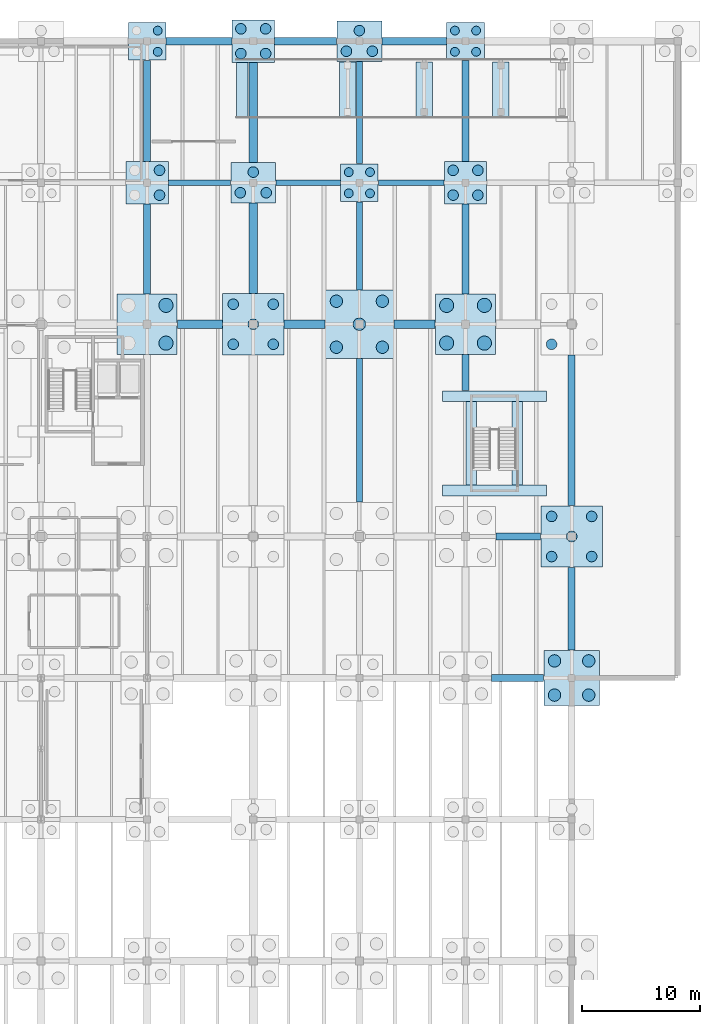
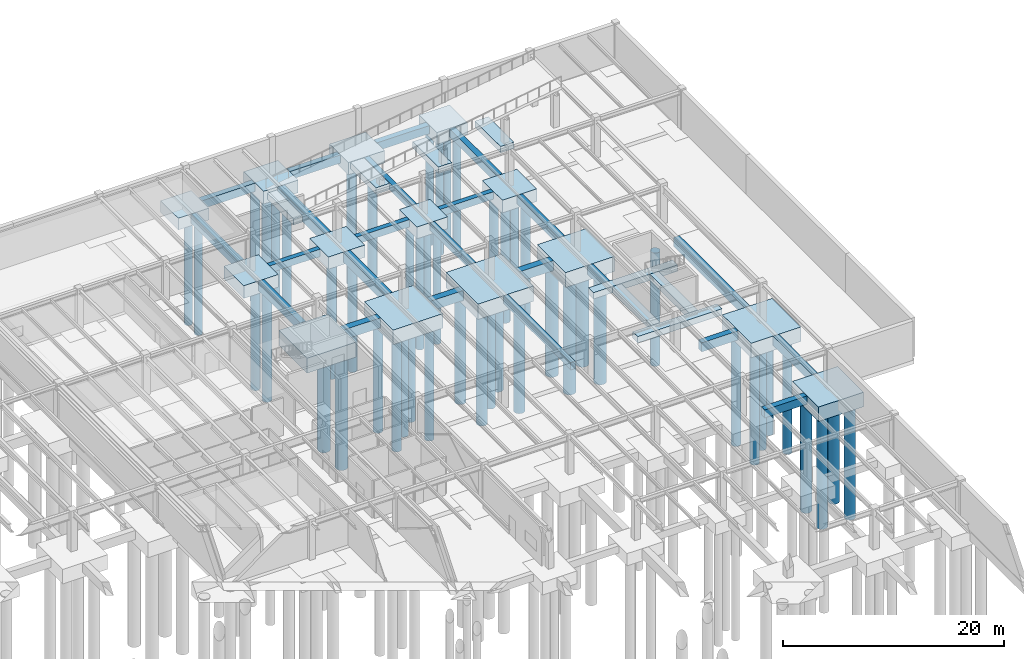
# One storey, part 12 of 40: 52 piles, 45 footings.
"""IFC4 building model written with IfcOpenShell, lengths in metres."""

from ifc_helpers import new_model, si_unit, direction, frame, origin, origin_2d, place, context, subcontext, project, spatial, polyline, rectangle, circle, outline, extrude, material, material_profile, profile_set, type_object, element, save


model = new_model("IFC4")

# Units and contexts
model_context = context("Model", 3, precision=1e-05, world=origin(), true_north=direction((0.0, 1.0)))
body_context = subcontext(model_context, "Body", "Model", "MODEL_VIEW")
ifc_project = project(units=[si_unit("LENGTHUNIT", "METRE"), si_unit("AREAUNIT", "SQUARE_METRE"), si_unit("VOLUMEUNIT", "CUBIC_METRE"), si_unit("PLANEANGLEUNIT", "RADIAN"), si_unit("MASSUNIT", "GRAM", prefix="KILO")], contexts=[model_context])

# Site, building, storey
site_placement = place(None, origin())
site = spatial("IfcSite", under=ifc_project, at=site_placement, CompositionType="ELEMENT")
building_placement = place(site_placement, origin())
building = spatial("IfcBuilding", under=site, at=building_placement, Name="Montelvaro Courts of Justice", CompositionType="ELEMENT")
storey_placement = place(building_placement, frame((0.0, 0.0, -4.5)))
storey = spatial("IfcBuildingStorey", under=building, at=storey_placement, Name="B01", CompositionType="ELEMENT", Elevation=-4.5)

# Piles
ifc_material = material(Name="Concrete C35/45", Category="concrete")
ifc_material_profile_1 = material_profile(ifc_material, circle(Radius=0.52490234375, at=origin_2d()), Name="BORED PILE D1050")
ifc_profile_set_1 = profile_set([ifc_material_profile_1], Name="Concrete C35/45")
pile_type_1 = type_object("IfcPileType", Name="BoredPile_1050", PredefinedType="BORED", material=ifc_profile_set_1)
for number, where, z_axis, x_axis, name in (
    (1, (142.050048828125, 94.050048828125, -1.60009765625), (0.0, 0.0, -1.0), (1.0, 0.0, 0.0), "Bored Pile BP-03 17/H-1"),
    (2, (145.949951171875, 94.050048828125, -1.60009765625), (0.0, 0.0, -1.0), (1.0, 0.0, 0.0), "Bored Pile BP-03 17/H-2"),
    (3, (144.0, 96.0, -1.60009765625), (0.0, 0.0, -1.0), (1.0, 0.0, 0.0), "Bored Pile BP-03 17/H-3"),
    (4, (142.050048828125, 97.949951171875, -1.60009765625), (0.0, 0.0, -1.0), (1.0, 0.0, 0.0), "Bored Pile BP-03 17/H-4"),
    (5, (145.949951171875, 97.949951171875, -1.60009765625), (0.0, 0.0, -1.0), (1.0, 0.0, 0.0), "Bored Pile BP-03 17/H-5"),
):
    element("IfcPile", number, at=place(storey_placement, frame(where, z_axis=z_axis, x_axis=x_axis)), inside=storey, type_object=pile_type_1, Name=name, PredefinedType="BORED", context=body_context, shape_type="SweptSolid", body=[
        extrude(circle(Radius=0.52490234375, at=origin_2d()), origin(), (0.0, 0.0, 1.0), 12.39990234375),
    ])
for number, where, z_axis, x_axis, name in (
    (6, (160.550048828125, 64.550048828125, -1.5), (0.0, 0.0, -1.0), (1.0, 0.0, 0.0), "Bored Pile BP-03 19/F-1"),
    (7, (163.449951171875, 64.550048828125, -1.5), (0.0, 0.0, -1.0), (1.0, 0.0, 0.0), "Bored Pile BP-03 19/F-2"),
    (8, (160.550048828125, 67.449951171875, -1.5), (0.0, 0.0, -1.0), (1.0, 0.0, 0.0), "Bored Pile BP-03 19/F-3"),
    (9, (163.449951171875, 67.449951171875, -1.5), (0.0, 0.0, -1.0), (1.0, 0.0, 0.0), "Bored Pile BP-03 19/F-4"),
):
    element("IfcPile", number, at=place(storey_placement, frame(where, z_axis=z_axis, x_axis=x_axis)), inside=storey, type_object=pile_type_1, Name=name, PredefinedType="BORED", context=body_context, shape_type="SweptSolid", body=[
        extrude(circle(Radius=0.52490234375, at=origin_2d()), origin(), (0.0, 0.0, 1.0), 12.5),
    ])
ifc_material_profile_2 = material_profile(ifc_material, circle(Radius=0.60009765625, at=origin_2d()), Name="BORED PILE D1200")
ifc_profile_set_2 = profile_set([ifc_material_profile_2], Name="Concrete C35/45")
pile_type_2 = type_object("IfcPileType", Name="BoredPile_1200", PredefinedType="BORED", material=ifc_profile_set_2)
for number, where, z_axis, x_axis, name in (
    (10, (127.60009765625, 94.39990234375, -1.550048828125), (0.0, 0.0, -1.0), (1.0, 0.0, 0.0), "Bored Pile BP-04 15/H-2"),
    (11, (127.60009765625, 97.60009765625, -1.550048828125), (0.0, 0.0, -1.0), (1.0, 0.0, 0.0), "Bored Pile BP-04 15/H-4"),
    (12, (151.39990234375, 94.39990234375, -1.550048828125), (0.0, 0.0, -1.0), (1.0, 0.0, 0.0), "Bored Pile BP-04 18/H-1"),
    (13, (154.60009765625, 94.39990234375, -1.550048828125), (0.0, 0.0, -1.0), (1.0, 0.0, 0.0), "Bored Pile BP-04 18/H-2"),
    (14, (151.39990234375, 97.60009765625, -1.550048828125), (0.0, 0.0, -1.0), (1.0, 0.0, 0.0), "Bored Pile BP-04 18/H-3"),
    (15, (154.60009765625, 97.60009765625, -1.550048828125), (0.0, 0.0, -1.0), (1.0, 0.0, 0.0), "Bored Pile BP-04 18/H-4"),
):
    element("IfcPile", number, at=place(storey_placement, frame(where, z_axis=z_axis, x_axis=x_axis)), inside=storey, type_object=pile_type_2, Name=name, PredefinedType="BORED", context=body_context, shape_type="SweptSolid", body=[
        extrude(circle(Radius=0.60009765625, at=origin_2d()), origin(), (0.0, 0.0, 1.0), 12.449951171875),
    ])
ifc_material_profile_3 = material_profile(ifc_material, circle(Radius=0.375, at=origin_2d()), Name="BORED PILE D750")
ifc_profile_set_3 = profile_set([ifc_material_profile_3], Name="Concrete C35/45")
pile_type_3 = type_object("IfcPileType", Name="BoredPile_750", PredefinedType="BORED", material=ifc_profile_set_3)
for number, where, z_axis, x_axis, name in (
    (16, (126.89990234375, 119.10009765625, -1.199951171875), (0.0, 0.0, -1.0), (1.0, 0.0, 0.0), "Bored Pile BP-01 15/J-2"),
    (17, (126.89990234375, 120.89990234375, -1.199951171875), (0.0, 0.0, -1.0), (1.0, 0.0, 0.0), "Bored Pile BP-01 15/J-4"),
    (18, (143.10009765625, 107.10009765625, -1.199951171875), (0.0, 0.0, -1.0), (1.0, 0.0, 0.0), "Bored Pile BP-01 17/I-1"),
    (19, (144.89990234375, 107.10009765625, -1.199951171875), (0.0, 0.0, -1.0), (1.0, 0.0, 0.0), "Bored Pile BP-01 17/I-2"),
    (20, (143.10009765625, 108.89990234375, -1.199951171875), (0.0, 0.0, -1.0), (1.0, 0.0, 0.0), "Bored Pile BP-01 17/I-3"),
    (21, (144.89990234375, 108.89990234375, -1.199951171875), (0.0, 0.0, -1.0), (1.0, 0.0, 0.0), "Bored Pile BP-01 17/I-4"),
    (22, (152.10009765625, 119.10009765625, -1.199951171875), (0.0, 0.0, -1.0), (1.0, 0.0, 0.0), "Bored Pile BP-01 18/J-1"),
    (23, (153.89990234375, 119.10009765625, -1.199951171875), (0.0, 0.0, -1.0), (1.0, 0.0, 0.0), "Bored Pile BP-01 18/J-2"),
    (24, (152.10009765625, 120.89990234375, -1.199951171875), (0.0, 0.0, -1.0), (1.0, 0.0, 0.0), "Bored Pile BP-01 18/J-3"),
    (25, (153.89990234375, 120.89990234375, -1.199951171875), (0.0, 0.0, -1.0), (1.0, 0.0, 0.0), "Bored Pile BP-01 18/J-4"),
):
    element("IfcPile", number, at=place(storey_placement, frame(where, z_axis=z_axis, x_axis=x_axis)), inside=storey, type_object=pile_type_3, Name=name, PredefinedType="BORED", context=body_context, shape_type="SweptSolid", body=[
        extrude(circle(Radius=0.375, at=origin_2d()), origin(), (0.0, 0.0, 1.0), 12.800048828125),
    ])
ifc_material_profile_4 = material_profile(ifc_material, circle(Radius=0.449951171875, at=origin_2d()), Name="BORED PILE D900")
ifc_profile_set_4 = profile_set([ifc_material_profile_4], Name="Concrete C35/45")
pile_type_4 = type_object("IfcPileType", Name="BoredPile_900", PredefinedType="BORED", material=ifc_profile_set_4)
for number, where, z_axis, x_axis, name in (
    (26, (127.050048828125, 106.949951171875, -1.300048828125), (0.0, 0.0, -1.0), (1.0, 0.0, 0.0), "Bored Pile BP-02 15/I-2"),
    (27, (127.050048828125, 109.050048828125, -1.300048828125), (0.0, 0.0, -1.0), (1.0, 0.0, 0.0), "Bored Pile BP-02 15/I-4"),
):
    element("IfcPile", number, at=place(storey_placement, frame(where, z_axis=z_axis, x_axis=x_axis)), inside=storey, type_object=pile_type_4, Name=name, PredefinedType="BORED", context=body_context, shape_type="SweptSolid", body=[
        extrude(circle(Radius=0.449951171875, at=origin_2d()), origin(), (0.0, 0.0, 1.0), 12.699951171875),
    ])
for number, where, z_axis, x_axis, name in (
    (28, (133.300048828125, 94.300048828125, -1.5), (0.0, 0.0, -1.0), (1.0, 0.0, 0.0), "Bored Pile BP-02 16/H-1"),
    (29, (136.699951171875, 94.300048828125, -1.5), (0.0, 0.0, -1.0), (1.0, 0.0, 0.0), "Bored Pile BP-02 16/H-2"),
    (30, (135.0, 96.0, -1.5), (0.0, 0.0, -1.0), (1.0, 0.0, 0.0), "Bored Pile BP-02 16/H-3"),
    (31, (133.300048828125, 97.699951171875, -1.5), (0.0, 0.0, -1.0), (1.0, 0.0, 0.0), "Bored Pile BP-02 16/H-4"),
    (32, (136.699951171875, 97.699951171875, -1.5), (0.0, 0.0, -1.0), (1.0, 0.0, 0.0), "Bored Pile BP-02 16/H-5"),
):
    element("IfcPile", number, at=place(storey_placement, frame(where, z_axis=z_axis, x_axis=x_axis)), inside=storey, type_object=pile_type_4, Name=name, PredefinedType="BORED", context=body_context, shape_type="SweptSolid", body=[
        extrude(circle(Radius=0.449951171875, at=origin_2d()), origin(), (0.0, 0.0, 1.0), 12.5),
    ])
for number, where, z_axis, x_axis, name in (
    (33, (133.89990234375, 107.14990234375, -1.25), (0.0, 0.0, -1.0), (1.0, 0.0, 0.0), "Bored Pile BP-02 16/I-1"),
    (34, (136.10009765625, 107.14990234375, -1.25), (0.0, 0.0, -1.0), (1.0, 0.0, 0.0), "Bored Pile BP-02 16/I-2"),
    (35, (135.0, 108.89990234375, -1.25), (0.0, 0.0, -1.0), (1.0, 0.0, 0.0), "Bored Pile BP-02 16/I-3"),
):
    element("IfcPile", number, at=place(storey_placement, frame(where, z_axis=z_axis, x_axis=x_axis)), inside=storey, type_object=pile_type_4, Name=name, PredefinedType="BORED", context=body_context, shape_type="SweptSolid", body=[
        extrude(circle(Radius=0.449951171875, at=origin_2d()), origin(), (0.0, 0.0, 1.0), 12.75),
    ])
for number, where, z_axis, x_axis, name in (
    (36, (133.949951171875, 118.949951171875, -1.300048828125), (0.0, 0.0, -1.0), (1.0, 0.0, 0.0), "Bored Pile BP-02 16/J-1"),
    (37, (136.050048828125, 118.949951171875, -1.300048828125), (0.0, 0.0, -1.0), (1.0, 0.0, 0.0), "Bored Pile BP-02 16/J-2"),
    (38, (133.949951171875, 121.050048828125, -1.300048828125), (0.0, 0.0, -1.0), (1.0, 0.0, 0.0), "Bored Pile BP-02 16/J-3"),
    (39, (136.050048828125, 121.050048828125, -1.300048828125), (0.0, 0.0, -1.0), (1.0, 0.0, 0.0), "Bored Pile BP-02 16/J-4"),
):
    element("IfcPile", number, at=place(storey_placement, frame(where, z_axis=z_axis, x_axis=x_axis)), inside=storey, type_object=pile_type_4, Name=name, PredefinedType="BORED", context=body_context, shape_type="SweptSolid", body=[
        extrude(circle(Radius=0.449951171875, at=origin_2d()), origin(), (0.0, 0.0, 1.0), 12.699951171875),
    ])
for number, where, z_axis, x_axis, name in (
    (40, (142.89990234375, 119.14990234375, -1.25), (0.0, 0.0, -1.0), (1.0, 0.0, 0.0), "Bored Pile BP-02 17/J-1"),
    (41, (145.10009765625, 119.14990234375, -1.25), (0.0, 0.0, -1.0), (1.0, 0.0, 0.0), "Bored Pile BP-02 17/J-2"),
    (42, (144.0, 120.89990234375, -1.25), (0.0, 0.0, -1.0), (1.0, 0.0, 0.0), "Bored Pile BP-02 17/J-3"),
):
    element("IfcPile", number, at=place(storey_placement, frame(where, z_axis=z_axis, x_axis=x_axis)), inside=storey, type_object=pile_type_4, Name=name, PredefinedType="BORED", context=body_context, shape_type="SweptSolid", body=[
        extrude(circle(Radius=0.449951171875, at=origin_2d()), origin(), (0.0, 0.0, 1.0), 12.75),
    ])
for number, where, z_axis, x_axis, name in (
    (43, (151.949951171875, 106.949951171875, -1.300048828125), (0.0, 0.0, -1.0), (1.0, 0.0, 0.0), "Bored Pile BP-02 18/I-1"),
    (44, (154.050048828125, 106.949951171875, -1.300048828125), (0.0, 0.0, -1.0), (1.0, 0.0, 0.0), "Bored Pile BP-02 18/I-2"),
    (45, (151.949951171875, 109.050048828125, -1.300048828125), (0.0, 0.0, -1.0), (1.0, 0.0, 0.0), "Bored Pile BP-02 18/I-3"),
    (46, (154.050048828125, 109.050048828125, -1.300048828125), (0.0, 0.0, -1.0), (1.0, 0.0, 0.0), "Bored Pile BP-02 18/I-4"),
):
    element("IfcPile", number, at=place(storey_placement, frame(where, z_axis=z_axis, x_axis=x_axis)), inside=storey, type_object=pile_type_4, Name=name, PredefinedType="BORED", context=body_context, shape_type="SweptSolid", body=[
        extrude(circle(Radius=0.449951171875, at=origin_2d()), origin(), (0.0, 0.0, 1.0), 12.699951171875),
    ])
for number, where, z_axis, x_axis, name in (
    (47, (160.300048828125, 76.300048828125, -1.5), (0.0, 0.0, -1.0), (1.0, 0.0, 0.0), "Bored Pile BP-02 19/G-1"),
    (48, (163.699951171875, 76.300048828125, -1.5), (0.0, 0.0, -1.0), (1.0, 0.0, 0.0), "Bored Pile BP-02 19/G-2"),
    (49, (162.0, 78.0, -1.5), (0.0, 0.0, -1.0), (1.0, 0.0, 0.0), "Bored Pile BP-02 19/G-3"),
    (50, (160.300048828125, 79.699951171875, -1.5), (0.0, 0.0, -1.0), (1.0, 0.0, 0.0), "Bored Pile BP-02 19/G-4"),
    (51, (163.699951171875, 79.699951171875, -1.5), (0.0, 0.0, -1.0), (1.0, 0.0, 0.0), "Bored Pile BP-02 19/G-5"),
    (52, (160.300048828125, 94.300048828125, -1.5), (0.0, 0.0, -1.0), (1.0, 0.0, 0.0), "Bored Pile BP-02 19/H-1"),
):
    element("IfcPile", number, at=place(storey_placement, frame(where, z_axis=z_axis, x_axis=x_axis)), inside=storey, type_object=pile_type_4, Name=name, PredefinedType="BORED", context=body_context, shape_type="SweptSolid", body=[
        extrude(circle(Radius=0.449951171875, at=origin_2d()), origin(), (0.0, 0.0, 1.0), 12.5),
    ])

# Footings
footing_type_1 = type_object("IfcFootingType", Name="GroundBeam_500x800", PredefinedType="FOOTING_BEAM", material=ifc_material)
footing_1_placement = place(storey_placement, frame((0.0, 0.0, -0.800048828125)))
element("IfcFooting", 53, at=footing_1_placement, inside=storey, type_object=footing_type_1, Name="Foundation Ground Beam GB-01", PredefinedType="FOOTING_BEAM", context=body_context, shape_type="SweptSolid", body=[
    extrude(outline(polyline([(127.820068359375, 107.75), (133.080078125, 107.75), (133.080078125, 108.25), (127.820068359375, 108.25), (127.820068359375, 107.75)])), origin(), (0.0, 0.0, 1.0), 0.800048828125),
])
footing_2_placement = place(storey_placement, frame((0.0, 0.0, -0.800048828125)))
element("IfcFooting", 54, at=footing_2_placement, inside=storey, type_object=footing_type_1, Name="Foundation Ground Beam GB-01", PredefinedType="FOOTING_BEAM", context=body_context, shape_type="SweptSolid", body=[
    extrude(outline(polyline([(136.919921875, 107.75), (142.3798828125, 107.75), (142.3798828125, 108.25), (136.919921875, 108.25), (136.919921875, 107.75)])), origin(), (0.0, 0.0, 1.0), 0.800048828125),
])
footing_3_placement = place(storey_placement, frame((0.0, 0.0, -0.800048828125)))
element("IfcFooting", 55, at=footing_3_placement, inside=storey, type_object=footing_type_1, Name="Foundation Ground Beam GB-01", PredefinedType="FOOTING_BEAM", context=body_context, shape_type="SweptSolid", body=[
    extrude(outline(polyline([(145.6201171875, 107.75), (151.179931640625, 107.75), (151.179931640625, 108.25), (145.6201171875, 108.25), (145.6201171875, 107.75)])), origin(), (0.0, 0.0, 1.0), 0.800048828125),
])
footing_4_placement = place(storey_placement, frame((0.0, 0.0, -0.800048828125)))
element("IfcFooting", 56, at=footing_4_placement, inside=storey, type_object=footing_type_1, Name="Foundation Ground Beam GB-01", PredefinedType="FOOTING_BEAM", context=body_context, shape_type="SweptSolid", body=[
    extrude(outline(polyline([(143.75, 80.919921875), (144.25, 80.919921875), (144.25, 93.080078125), (143.75, 93.080078125), (143.75, 80.919921875)])), origin(), (0.0, 0.0, 1.0), 0.800048828125),
])
footing_5_placement = place(storey_placement, frame((0.0, 0.0, -0.800048828125)))
element("IfcFooting", 57, at=footing_5_placement, inside=storey, type_object=footing_type_1, Name="Foundation Ground Beam GB-01", PredefinedType="FOOTING_BEAM", context=body_context, shape_type="SweptSolid", body=[
    extrude(outline(polyline([(143.75, 98.919921875), (144.25, 98.919921875), (144.25, 106.3798828125), (143.75, 106.3798828125), (143.75, 98.919921875)])), origin(), (0.0, 0.0, 1.0), 0.800048828125),
])
footing_6_placement = place(storey_placement, frame((0.0, 0.0, -0.800048828125)))
element("IfcFooting", 58, at=footing_6_placement, inside=storey, type_object=footing_type_1, Name="Foundation Ground Beam GB-01", PredefinedType="FOOTING_BEAM", context=body_context, shape_type="SweptSolid", body=[
    extrude(outline(polyline([(143.75, 109.6201171875), (144.25, 109.6201171875), (144.25, 118.280029296875), (143.75, 118.280029296875), (143.75, 109.6201171875)])), origin(), (0.0, 0.0, 1.0), 0.800048828125),
])
footing_type_2 = type_object("IfcFootingType", Name="GroundBeam_600x1000", PredefinedType="FOOTING_BEAM", material=ifc_material)
footing_7_placement = place(storey_placement, frame((0.0, 0.0, -1.0)))
element("IfcFooting", 59, at=footing_7_placement, inside=storey, type_object=footing_type_2, Name="Foundation Ground Beam GB-03", PredefinedType="FOOTING_BEAM", context=body_context, shape_type="SweptSolid", body=[
    extrude(outline(polyline([(155.570068359375, 77.699951171875), (159.3798828125, 77.699951171875), (159.3798828125, 78.300048828125), (155.570068359375, 78.300048828125), (155.570068359375, 77.699951171875)])), origin(), (0.0, 0.0, 1.0), 1.0),
])
footing_8_placement = place(storey_placement, frame((0.0, 0.0, -1.0)))
element("IfcFooting", 60, at=footing_8_placement, inside=storey, type_object=footing_type_2, Name="Foundation Ground Beam GB-03", PredefinedType="FOOTING_BEAM", context=body_context, shape_type="SweptSolid", body=[
    extrude(outline(polyline([(125.699951171875, 98.570068359375), (126.300048828125, 98.570068359375), (126.300048828125, 106.179931640625), (125.699951171875, 106.179931640625), (125.699951171875, 98.570068359375)])), origin(), (0.0, 0.0, 1.0), 1.0),
])
footing_9_placement = place(storey_placement, frame((0.0, 0.0, -1.0)))
element("IfcFooting", 61, at=footing_9_placement, inside=storey, type_object=footing_type_2, Name="Foundation Ground Beam GB-03", PredefinedType="FOOTING_BEAM", context=body_context, shape_type="SweptSolid", body=[
    extrude(outline(polyline([(125.699951171875, 109.820068359375), (126.300048828125, 109.820068359375), (126.300048828125, 118.3798828125), (125.699951171875, 118.3798828125), (125.699951171875, 109.820068359375)])), origin(), (0.0, 0.0, 1.0), 1.0),
])
footing_10_placement = place(storey_placement, frame((0.0, 0.0, -1.0)))
element("IfcFooting", 62, at=footing_10_placement, inside=storey, type_object=footing_type_2, Name="Foundation Ground Beam GB-03", PredefinedType="FOOTING_BEAM", context=body_context, shape_type="SweptSolid", body=[
    extrude(outline(polyline([(161.699951171875, 68.3701171875), (162.300048828125, 68.3701171875), (162.300048828125, 75.3798828125), (161.699951171875, 75.3798828125), (161.699951171875, 68.3701171875)])), origin(), (0.0, 0.0, 1.0), 1.0),
])
footing_11_placement = place(storey_placement, frame((0.0, 0.0, -1.0)))
element("IfcFooting", 63, at=footing_11_placement, inside=storey, type_object=footing_type_2, Name="Foundation Ground Beam GB-03", PredefinedType="FOOTING_BEAM", context=body_context, shape_type="SweptSolid", body=[
    extrude(outline(polyline([(161.699951171875, 80.6201171875), (162.300048828125, 80.6201171875), (162.300048828125, 93.3798828125), (161.699951171875, 93.3798828125), (161.699951171875, 80.6201171875)])), origin(), (0.0, 0.0, 1.0), 1.0),
])
footing_type_3 = type_object("IfcFootingType", Name="GroundBeam_600x900", PredefinedType="FOOTING_BEAM", material=ifc_material)
footing_12_placement = place(storey_placement, frame((0.0, 0.0, -0.89990234375)))
element("IfcFooting", 64, at=footing_12_placement, inside=storey, type_object=footing_type_3, Name="Foundation Ground Beam GB-02", PredefinedType="FOOTING_BEAM", context=body_context, shape_type="SweptSolid", body=[
    extrude(outline(polyline([(155.219970703125, 65.699951171875), (159.6298828125, 65.699951171875), (159.6298828125, 66.300048828125), (155.219970703125, 66.300048828125), (155.219970703125, 65.699951171875)])), origin(), (0.0, 0.0, 1.0), 0.89990234375),
])
footing_13_placement = place(storey_placement, frame((0.0, 0.0, -0.89990234375)))
element("IfcFooting", 65, at=footing_13_placement, inside=storey, type_object=footing_type_3, Name="Foundation Ground Beam GB-02", PredefinedType="FOOTING_BEAM", context=body_context, shape_type="SweptSolid", body=[
    extrude(outline(polyline([(127.6201171875, 119.699951171875), (133.179931640625, 119.699951171875), (133.179931640625, 120.300048828125), (127.6201171875, 120.300048828125), (127.6201171875, 119.699951171875)])), origin(), (0.0, 0.0, 1.0), 0.89990234375),
])
footing_14_placement = place(storey_placement, frame((0.0, 0.0, -0.89990234375)))
element("IfcFooting", 66, at=footing_14_placement, inside=storey, type_object=footing_type_3, Name="Foundation Ground Beam GB-02", PredefinedType="FOOTING_BEAM", context=body_context, shape_type="SweptSolid", body=[
    extrude(outline(polyline([(136.820068359375, 119.699951171875), (142.080078125, 119.699951171875), (142.080078125, 120.300048828125), (136.820068359375, 120.300048828125), (136.820068359375, 119.699951171875)])), origin(), (0.0, 0.0, 1.0), 0.89990234375),
])
footing_15_placement = place(storey_placement, frame((0.0, 0.0, -0.89990234375)))
element("IfcFooting", 67, at=footing_15_placement, inside=storey, type_object=footing_type_3, Name="Foundation Ground Beam GB-02", PredefinedType="FOOTING_BEAM", context=body_context, shape_type="SweptSolid", body=[
    extrude(outline(polyline([(145.919921875, 119.699951171875), (151.3798828125, 119.699951171875), (151.3798828125, 120.300048828125), (145.919921875, 120.300048828125), (145.919921875, 119.699951171875)])), origin(), (0.0, 0.0, 1.0), 0.89990234375),
])
footing_16_placement = place(storey_placement, frame((0.0, 0.0, -0.89990234375)))
element("IfcFooting", 68, at=footing_16_placement, inside=storey, type_object=footing_type_3, Name="Foundation Ground Beam GB-02", PredefinedType="FOOTING_BEAM", context=body_context, shape_type="SweptSolid", body=[
    extrude(outline(polyline([(152.699951171875, 90.3701171875), (153.300048828125, 90.3701171875), (153.300048828125, 93.429931640625), (152.699951171875, 93.429931640625), (152.699951171875, 90.3701171875)])), origin(), (0.0, 0.0, 1.0), 0.89990234375),
])
footing_17_placement = place(storey_placement, frame((0.0, 0.0, -0.89990234375)))
element("IfcFooting", 69, at=footing_17_placement, inside=storey, type_object=footing_type_3, Name="Foundation Ground Beam GB-02", PredefinedType="FOOTING_BEAM", context=body_context, shape_type="SweptSolid", body=[
    extrude(outline(polyline([(152.699951171875, 98.570068359375), (153.300048828125, 98.570068359375), (153.300048828125, 106.179931640625), (152.699951171875, 106.179931640625), (152.699951171875, 98.570068359375)])), origin(), (0.0, 0.0, 1.0), 0.89990234375),
])
footing_18_placement = place(storey_placement, frame((0.0, 0.0, -0.89990234375)))
element("IfcFooting", 70, at=footing_18_placement, inside=storey, type_object=footing_type_3, Name="Foundation Ground Beam GB-02", PredefinedType="FOOTING_BEAM", context=body_context, shape_type="SweptSolid", body=[
    extrude(outline(polyline([(152.699951171875, 109.820068359375), (153.300048828125, 109.820068359375), (153.300048828125, 118.3798828125), (152.699951171875, 118.3798828125), (152.699951171875, 109.820068359375)])), origin(), (0.0, 0.0, 1.0), 0.89990234375),
])
footing_type_4 = type_object("IfcFootingType", Name="GroundBeam_700x1100", PredefinedType="FOOTING_BEAM", material=ifc_material)
footing_19_placement = place(storey_placement, frame((0.0, 0.0, -1.10009765625)))
element("IfcFooting", 71, at=footing_19_placement, inside=storey, type_object=footing_type_4, Name="Foundation Ground Beam GB-04", PredefinedType="FOOTING_BEAM", context=body_context, shape_type="SweptSolid", body=[
    extrude(outline(polyline([(128.570068359375, 95.64990234375), (132.3798828125, 95.64990234375), (132.3798828125, 96.35009765625), (128.570068359375, 96.35009765625), (128.570068359375, 95.64990234375)])), origin(), (0.0, 0.0, 1.0), 1.10009765625),
])
footing_20_placement = place(storey_placement, frame((0.0, 0.0, -1.10009765625)))
element("IfcFooting", 72, at=footing_20_placement, inside=storey, type_object=footing_type_4, Name="Foundation Ground Beam GB-04", PredefinedType="FOOTING_BEAM", context=body_context, shape_type="SweptSolid", body=[
    extrude(outline(polyline([(137.6201171875, 95.64990234375), (141.080078125, 95.64990234375), (141.080078125, 96.35009765625), (137.6201171875, 96.35009765625), (137.6201171875, 95.64990234375)])), origin(), (0.0, 0.0, 1.0), 1.10009765625),
])
footing_21_placement = place(storey_placement, frame((0.0, 0.0, -1.10009765625)))
element("IfcFooting", 73, at=footing_21_placement, inside=storey, type_object=footing_type_4, Name="Foundation Ground Beam GB-04", PredefinedType="FOOTING_BEAM", context=body_context, shape_type="SweptSolid", body=[
    extrude(outline(polyline([(146.919921875, 95.64990234375), (150.429931640625, 95.64990234375), (150.429931640625, 96.35009765625), (146.919921875, 96.35009765625), (146.919921875, 95.64990234375)])), origin(), (0.0, 0.0, 1.0), 1.10009765625),
])
footing_22_placement = place(storey_placement, frame((0.0, 0.0, -1.10009765625)))
element("IfcFooting", 74, at=footing_22_placement, inside=storey, type_object=footing_type_4, Name="Foundation Ground Beam GB-04", PredefinedType="FOOTING_BEAM", context=body_context, shape_type="SweptSolid", body=[
    extrude(outline(polyline([(134.64990234375, 98.6201171875), (135.35009765625, 98.6201171875), (135.35009765625, 106.280029296875), (134.64990234375, 106.280029296875), (134.64990234375, 98.6201171875)])), origin(), (0.0, 0.0, 1.0), 1.10009765625),
])
footing_23_placement = place(storey_placement, frame((0.0, 0.0, -1.10009765625)))
element("IfcFooting", 75, at=footing_23_placement, inside=storey, type_object=footing_type_4, Name="Foundation Ground Beam GB-04", PredefinedType="FOOTING_BEAM", context=body_context, shape_type="SweptSolid", body=[
    extrude(outline(polyline([(134.64990234375, 109.719970703125), (135.35009765625, 109.719970703125), (135.35009765625, 118.179931640625), (134.64990234375, 118.179931640625), (134.64990234375, 109.719970703125)])), origin(), (0.0, 0.0, 1.0), 1.10009765625),
])
footing_type_5 = type_object("IfcFootingType", Name="PadFooting_140x464x70", PredefinedType="PAD_FOOTING", material=ifc_material)
for number, where, z_axis, x_axis, name in (
    (76, (143.0, 115.929931640625, -0.7001953125), (0.0, 0.0, 1.0), (1.0, 0.0, 0.0), "Ramp VR-01 Pier Footing 1"),
    (77, (149.5, 115.929931640625, -0.7001953125), (0.0, 0.0, 1.0), (1.0, 0.0, 0.0), "Ramp VR-01 Pier Footing 2"),
    (78, (156.0, 115.929931640625, -0.7001953125), (0.0, 0.0, 1.0), (1.0, 0.0, 0.0), "Ramp VR-01 Pier Footing 3"),
):
    element("IfcFooting", number, at=place(storey_placement, frame(where, z_axis=z_axis, x_axis=x_axis)), inside=storey, type_object=footing_type_5, Name=name, PredefinedType="PAD_FOOTING", context=body_context, shape_type="SweptSolid", body=[
        extrude(rectangle(XDim=1.39990234375, YDim=4.639892578125, at=origin_2d()), origin(), (0.0, 0.0, 1.0), 0.699951171875),
    ])
footing_type_6 = type_object("IfcFootingType", Name="PileCap_3P_380x340x135", PredefinedType="PILE_CAP", material=ifc_material)
for number, where, z_axis, x_axis, name in (
    (79, (135.0, 108.0, -1.35009765625), (0.0, 0.0, 1.0), (1.0, 0.0, 0.0), "Pile Cap PC-07 at 16/I"),
    (80, (144.0, 120.0, -1.35009765625), (0.0, 0.0, 1.0), (1.0, 0.0, 0.0), "Pile Cap PC-07 at 17/J"),
):
    element("IfcFooting", number, at=place(storey_placement, frame(where, z_axis=z_axis, x_axis=x_axis)), inside=storey, type_object=footing_type_6, Name=name, PredefinedType="PILE_CAP", context=body_context, shape_type="SweptSolid", body=[
        extrude(rectangle(XDim=3.800048828125, YDim=3.39990234375, at=origin_2d()), origin(), (0.0, 0.0, 1.0), 1.35009765625),
    ])
footing_type_7 = type_object("IfcFootingType", Name="PileCap_4P_320x320x130", PredefinedType="PILE_CAP", material=ifc_material)
for number, where, z_axis, x_axis, name in (
    (81, (126.0, 120.0, -1.2998046875), (0.0, 0.0, 1.0), (1.0, 0.0, 0.0), "Pile Cap PC-08 at 15/J"),
    (82, (144.0, 108.0, -1.2998046875), (0.0, 0.0, 1.0), (1.0, 0.0, 0.0), "Pile Cap PC-08 at 17/I"),
    (83, (153.0, 120.0, -1.2998046875), (0.0, 0.0, 1.0), (1.0, 0.0, 0.0), "Pile Cap PC-08 at 18/J"),
):
    element("IfcFooting", number, at=place(storey_placement, frame(where, z_axis=z_axis, x_axis=x_axis)), inside=storey, type_object=footing_type_7, Name=name, PredefinedType="PILE_CAP", context=body_context, shape_type="SweptSolid", body=[
        extrude(rectangle(XDim=3.199951171875, YDim=3.199951171875, at=origin_2d()), origin(), (0.0, 0.0, 1.0), 1.300048828125),
    ])
footing_type_8 = type_object("IfcFootingType", Name="PileCap_4P_360x360x140", PredefinedType="PILE_CAP", material=ifc_material)
for number, where, z_axis, x_axis, name in (
    (84, (126.0, 108.0, -1.39990234375), (0.0, 0.0, 1.0), (1.0, 0.0, 0.0), "Pile Cap PC-09 at 15/I"),
    (85, (135.0, 120.0, -1.39990234375), (0.0, 0.0, 1.0), (1.0, 0.0, 0.0), "Pile Cap PC-09 at 16/J"),
    (86, (153.0, 108.0, -1.39990234375), (0.0, 0.0, 1.0), (1.0, 0.0, 0.0), "Pile Cap PC-09 at 18/I"),
):
    element("IfcFooting", number, at=place(storey_placement, frame(where, z_axis=z_axis, x_axis=x_axis)), inside=storey, type_object=footing_type_8, Name=name, PredefinedType="PILE_CAP", context=body_context, shape_type="SweptSolid", body=[
        extrude(rectangle(XDim=3.60009765625, YDim=3.60009765625, at=origin_2d()), origin(), (0.0, 0.0, 1.0), 1.39990234375),
    ])
footing_type_9 = type_object("IfcFootingType", Name="PileCap_4P_470x470x160", PredefinedType="PILE_CAP", material=ifc_material)
footing_24_placement = place(storey_placement, frame((162.0, 66.0, -1.60009765625), z_axis=(0.0, 0.0, 1.0), x_axis=(1.0, 0.0, 0.0)))
element("IfcFooting", 87, at=footing_24_placement, inside=storey, type_object=footing_type_9, Name="Pile Cap PC-12 at 19/F", PredefinedType="PILE_CAP", context=body_context, shape_type="SweptSolid", body=[
    extrude(rectangle(XDim=4.699951171875, YDim=4.699951171875, at=origin_2d()), origin(), (0.0, 0.0, 1.0), 1.60009765625),
])
footing_type_10 = type_object("IfcFootingType", Name="PileCap_4P_510x510x165", PredefinedType="PILE_CAP", material=ifc_material)
for number, where, z_axis, x_axis, name in (
    (88, (126.0, 96.0, -1.64990234375), (0.0, 0.0, 1.0), (1.0, 0.0, 0.0), "Pile Cap PC-13 at 15/H"),
    (89, (153.0, 96.0, -1.64990234375), (0.0, 0.0, 1.0), (1.0, 0.0, 0.0), "Pile Cap PC-13 at 18/H"),
):
    element("IfcFooting", number, at=place(storey_placement, frame(where, z_axis=z_axis, x_axis=x_axis)), inside=storey, type_object=footing_type_10, Name=name, PredefinedType="PILE_CAP", context=body_context, shape_type="SweptSolid", body=[
        extrude(rectangle(XDim=5.10009765625, YDim=5.10009765625, at=origin_2d()), origin(), (0.0, 0.0, 1.0), 1.64990234375),
    ])
footing_type_11 = type_object("IfcFootingType", Name="PileCap_5P_520x520x160", PredefinedType="PILE_CAP", material=ifc_material)
for number, where, z_axis, x_axis, name in (
    (90, (135.0, 96.0, -1.60009765625), (0.0, 0.0, 1.0), (1.0, 0.0, 0.0), "Pile Cap PC-14 at 16/H"),
    (91, (162.0, 78.0, -1.60009765625), (0.0, 0.0, 1.0), (1.0, 0.0, 0.0), "Pile Cap PC-14 at 19/G"),
):
    element("IfcFooting", number, at=place(storey_placement, frame(where, z_axis=z_axis, x_axis=x_axis)), inside=storey, type_object=footing_type_11, Name=name, PredefinedType="PILE_CAP", context=body_context, shape_type="SweptSolid", body=[
        extrude(rectangle(XDim=5.199951171875, YDim=5.199951171875, at=origin_2d()), origin(), (0.0, 0.0, 1.0), 1.60009765625),
    ])
footing_type_12 = type_object("IfcFootingType", Name="PileCap_5P_580x580x170", PredefinedType="PILE_CAP", material=ifc_material)
footing_25_placement = place(storey_placement, frame((144.0, 96.0, -1.7001953125), z_axis=(0.0, 0.0, 1.0), x_axis=(1.0, 0.0, 0.0)))
element("IfcFooting", 92, at=footing_25_placement, inside=storey, type_object=footing_type_12, Name="Pile Cap PC-15 at 17/H", PredefinedType="PILE_CAP", context=body_context, shape_type="SweptSolid", body=[
    extrude(rectangle(XDim=5.800048828125, YDim=5.800048828125, at=origin_2d()), origin(), (0.0, 0.0, 1.0), 1.699951171875),
])
footing_type_13 = type_object("IfcFootingType", Name="StripFooting_900x700", PredefinedType="STRIP_FOOTING", material=ifc_material)
footing_26_placement = place(storey_placement, frame((0.0, 0.0, -0.699951171875)))
element("IfcFooting", 93, at=footing_26_placement, inside=storey, type_object=footing_type_13, Name="Stair and Plinth Strip Footing SFG-01-29", PredefinedType="STRIP_FOOTING", context=body_context, shape_type="SweptSolid", body=[
    extrude(outline(polyline([(151.050048828125, 81.449951171875), (159.85009765625, 81.449951171875), (159.85009765625, 82.35009765625), (151.050048828125, 82.35009765625), (151.050048828125, 81.449951171875)])), origin(), (0.0, 0.0, 1.0), 0.699951171875),
])
footing_27_placement = place(storey_placement, frame((0.0, 0.0, -0.699951171875)))
element("IfcFooting", 94, at=footing_27_placement, inside=storey, type_object=footing_type_13, Name="Stair and Plinth Strip Footing SFG-01-30", PredefinedType="STRIP_FOOTING", context=body_context, shape_type="SweptSolid", body=[
    extrude(outline(polyline([(151.050048828125, 89.449951171875), (159.85009765625, 89.449951171875), (159.85009765625, 90.35009765625), (151.050048828125, 90.35009765625), (151.050048828125, 89.449951171875)])), origin(), (0.0, 0.0, 1.0), 0.699951171875),
])
footing_28_placement = place(storey_placement, frame((0.0, 0.0, -0.699951171875)))
element("IfcFooting", 95, at=footing_28_placement, inside=storey, type_object=footing_type_13, Name="Stair and Plinth Strip Footing SFG-01-31", PredefinedType="STRIP_FOOTING", context=body_context, shape_type="SweptSolid", body=[
    extrude(outline(polyline([(153.050048828125, 82.3701171875), (153.949951171875, 82.3701171875), (153.949951171875, 89.429931640625), (153.050048828125, 89.429931640625), (153.050048828125, 82.3701171875)])), origin(), (0.0, 0.0, 1.0), 0.699951171875),
])
footing_29_placement = place(storey_placement, frame((0.0, 0.0, -0.699951171875)))
element("IfcFooting", 96, at=footing_29_placement, inside=storey, type_object=footing_type_13, Name="Stair and Plinth Strip Footing SFG-01-32", PredefinedType="STRIP_FOOTING", context=body_context, shape_type="SweptSolid", body=[
    extrude(outline(polyline([(156.949951171875, 82.3701171875), (157.85009765625, 82.3701171875), (157.85009765625, 89.429931640625), (156.949951171875, 89.429931640625), (156.949951171875, 82.3701171875)])), origin(), (0.0, 0.0, 1.0), 0.699951171875),
])
footing_type_14 = type_object("IfcFootingType", Name="StripFooting_950x700", PredefinedType="STRIP_FOOTING", material=ifc_material)
footing_30_placement = place(storey_placement, frame((0.0, 0.0, -1.010009765625)))
element("IfcFooting", 97, at=footing_30_placement, inside=storey, type_object=footing_type_14, Name="Ramp VR-01 Toe Strip Footing", PredefinedType="STRIP_FOOTING", context=body_context, shape_type="SweptSolid", body=[
    extrude(outline(polyline([(133.60009765625, 113.5), (134.550048828125, 113.5), (134.550048828125, 118.179931640625), (133.60009765625, 118.179931640625), (133.60009765625, 113.5)])), origin(), (0.0, 0.0, 1.0), 0.699951171875),
])

save(model, "model.ifc")
